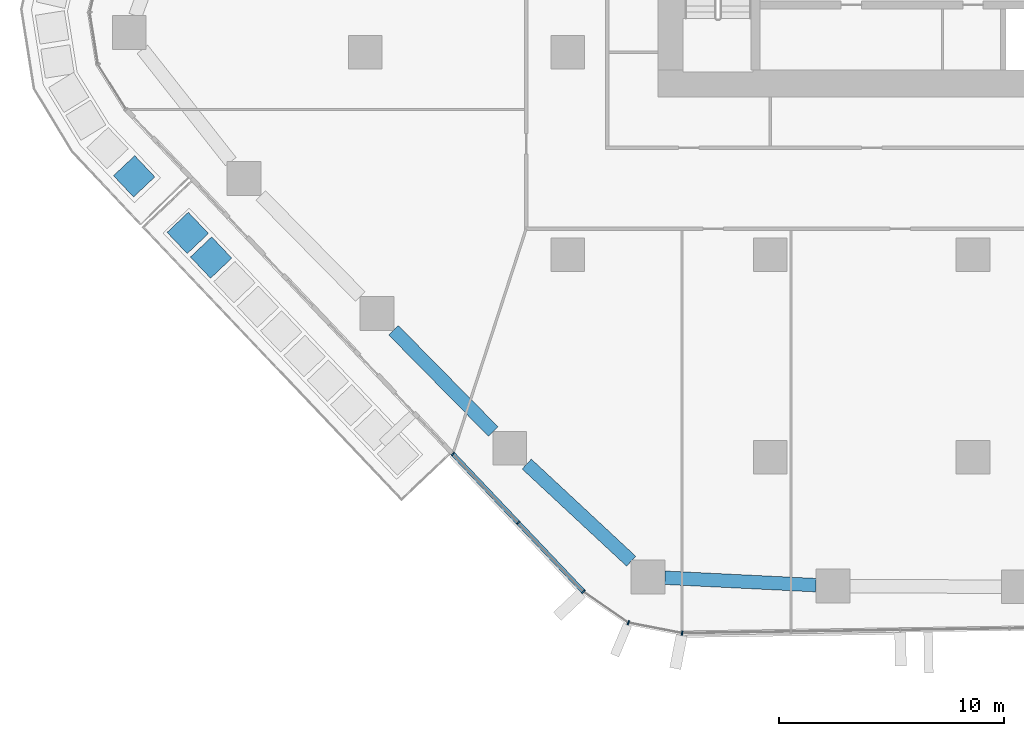
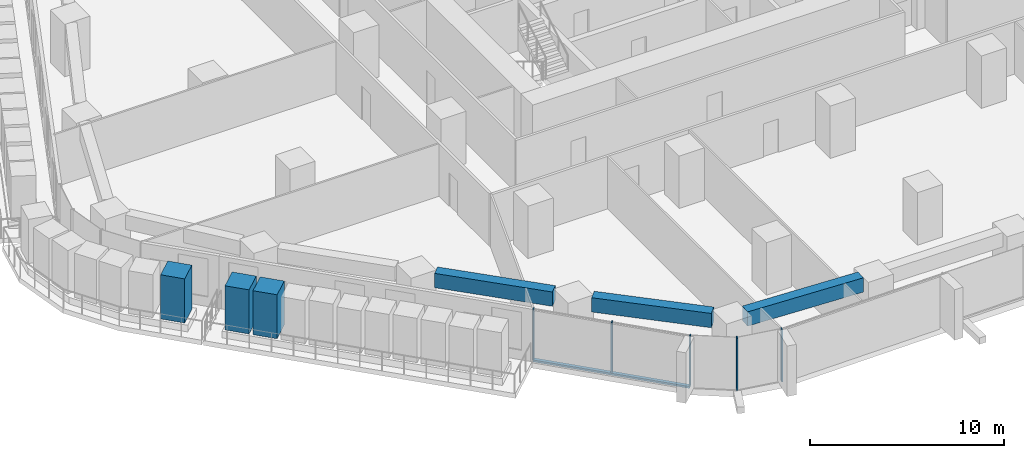
# One storey, part 2 of 24: 9 members, 3 beams, 2 elements without a shape of their own.
"""IFC4 building model written with IfcOpenShell, lengths in metres."""

import ifcopenshell
import ifcopenshell.guid

model = None  # the IFC model being written
_history = None  # IfcOwnerHistory: only IFC2X3 demands one
_inside = {}  # id of a spatial element -> (the spatial element, [elements in it])
_under = {}  # id of a project, library or spatial element -> (it, [spatial elements below it])
_declared = {}  # id of a project -> (the project, [libraries it declares])
_typed = {}  # id of a type object -> (the type object, [elements of that type])
_made_of = {}  # id of a material, layer set ... -> (it, [elements and type objects made of it])


def new_model(schema):
    """Start an empty IFC model of exactly this schema.

    Asked for "IFC4X3", IfcOpenShell would pick the latest addendum, in which some entities
    have other attributes; the version numbers below select the first issue.
    IFC2X3 requires an IfcOwnerHistory on every rooted entity: one is made here for all.
    """
    global model, _history
    if schema == "IFC4X3":
        model = ifcopenshell.file(schema_version=(4, 3, 0, 0))
    else:
        model = ifcopenshell.file(schema=schema)
    _inside.clear()
    _under.clear()
    _declared.clear()
    _typed.clear()
    _made_of.clear()
    _history = None
    if model.schema == "IFC2X3":
        org = make("IfcOrganization", Name="unknown")
        user = make(
            "IfcPersonAndOrganization",
            ThePerson=make("IfcPerson", FamilyName="unknown"),
            TheOrganization=org,
        )
        app = make(
            "IfcApplication",
            ApplicationDeveloper=org,
            Version="unknown",
            ApplicationFullName="unknown",
            ApplicationIdentifier="unknown",
        )
        _history = make(
            "IfcOwnerHistory",
            OwningUser=user,
            OwningApplication=app,
            ChangeAction="ADDED",
            CreationDate=0,
        )
    return model


def make(cls, **values):
    """One entity of the class cls with the attributes given. An attribute that is None is left unset."""
    return model.create_entity(
        cls, **{name: value for name, value in values.items() if value is not None}
    )


def rooted(cls, **values):
    """An entity with a GlobalId (a new one), such as an element, a storey or a relation."""
    return make(cls, GlobalId=ifcopenshell.guid.new(), OwnerHistory=_history, **values)


def si_unit(unit_type, name, prefix=None):
    """IfcSIUnit, for example si_unit("LENGTHUNIT", "METRE", prefix="MILLI")."""
    return make("IfcSIUnit", UnitType=unit_type, Prefix=prefix, Name=name)


def assignment(units):
    """IfcUnitAssignment: the units of a project."""
    return None if units is None else make("IfcUnitAssignment", Units=units)


def point(xyz):
    """IfcCartesianPoint."""
    return None if xyz is None else make("IfcCartesianPoint", Coordinates=xyz)


def direction(xyz):
    """IfcDirection."""
    return None if xyz is None else make("IfcDirection", DirectionRatios=xyz)


def frame(location, z_axis=None, x_axis=None):
    """IfcAxis2Placement3D, a coordinate frame: its origin and axes. An axis left out is left unset."""
    return make(
        "IfcAxis2Placement3D",
        Location=point(location),
        Axis=direction(z_axis),
        RefDirection=direction(x_axis),
    )


def frame_2d(location, x_axis=None):
    """IfcAxis2Placement2D, a coordinate frame in the plane: its origin and x axis."""
    return make(
        "IfcAxis2Placement2D", Location=point(location), RefDirection=direction(x_axis)
    )


def origin():
    """The frame at (0, 0, 0) with its axes left unset."""
    return frame((0.0, 0.0, 0.0))


def origin_2d():
    """The frame at (0, 0) in the plane with its x axis left unset."""
    return frame_2d((0.0, 0.0))


def place(relative_to, where):
    """IfcLocalPlacement: puts the frame where relative to a parent placement (None: the world)."""
    return make(
        "IfcLocalPlacement", PlacementRelTo=relative_to, RelativePlacement=where
    )


def context(
    kind, dimensions, precision=None, world=None, true_north=None, identifier=None
):
    """IfcGeometricRepresentationContext, for example the 3D "Model" context."""
    return make(
        "IfcGeometricRepresentationContext",
        ContextIdentifier=identifier,
        ContextType=kind,
        CoordinateSpaceDimension=dimensions,
        Precision=precision,
        WorldCoordinateSystem=world,
        TrueNorth=true_north,
    )


def subcontext(parent, identifier, kind, view, scale=None):
    """IfcGeometricRepresentationSubContext, for example "Body" below "Model"."""
    return make(
        "IfcGeometricRepresentationSubContext",
        ContextIdentifier=identifier,
        ContextType=kind,
        ParentContext=parent,
        TargetScale=scale,
        TargetView=view,
    )


def project(units=None, contexts=None):
    """IfcProject with its units and contexts."""
    return rooted(
        "IfcProject",
        Name="project",
        RepresentationContexts=contexts,
        UnitsInContext=assignment(units),
    )


def spatial(cls, under=None, at=None, **own):
    """A site, building, storey or space (cls), placed at a placement, below another one or the project."""
    s = rooted(cls, ObjectPlacement=at, **own)
    if under is not None:
        _under.setdefault(under.id(), (under, []))[1].append(s)
    return s


def profile(cls, at=None, kind="AREA", **sizes):
    """A parametric profile (cls). Its sizes go by their IFC names, for example OverallWidth=200.0."""
    return make(cls, ProfileType=kind, Position=at, **sizes)


def rectangle(**sizes):
    """IfcRectangleProfileDef."""
    return profile("IfcRectangleProfileDef", **sizes)


def extrude(swept, where, along, depth):
    """IfcExtrudedAreaSolid: the profile swept, set in the frame where, extruded along a direction by depth."""
    return make(
        "IfcExtrudedAreaSolid",
        SweptArea=swept,
        Position=where,
        ExtrudedDirection=direction(along),
        Depth=depth,
    )


def shape(context_of_items, identifier, shape_type, items):
    """IfcShapeRepresentation: the items that make up one representation, for example the "Body"."""
    return make(
        "IfcShapeRepresentation",
        ContextOfItems=context_of_items,
        RepresentationIdentifier=identifier,
        RepresentationType=shape_type,
        Items=items,
    )


def material(Name=None, Category=None):
    """IfcMaterial."""
    return make("IfcMaterial", Name=Name, Category=Category)


def layer(
    of_material, thickness, ventilated=None, Name=None, Category=None, Priority=None
):
    """IfcMaterialLayer: one layer of a wall or slab, of a material (None: an air gap)."""
    return make(
        "IfcMaterialLayer",
        Material=of_material,
        LayerThickness=thickness,
        IsVentilated=ventilated,
        Name=Name,
        Category=Category,
        Priority=Priority,
    )


def layer_set(layers, Name=None):
    """IfcMaterialLayerSet."""
    return make("IfcMaterialLayerSet", MaterialLayers=layers, LayerSetName=Name)


def material_profile(
    of_material, cross_section, Name=None, Category=None, Priority=None
):
    """IfcMaterialProfile: a cross section and its material."""
    return make(
        "IfcMaterialProfile",
        Name=Name,
        Material=of_material,
        Profile=cross_section,
        Priority=Priority,
        Category=Category,
    )


def profile_set(profiles, Name=None, composite=None):
    """IfcMaterialProfileSet."""
    return make(
        "IfcMaterialProfileSet",
        Name=Name,
        MaterialProfiles=profiles,
        CompositeProfile=composite,
    )


def made_of(thing, what):
    """Note that an element or type object is made of a material, layer set ...; save() writes the relation."""
    if what is not None:
        _made_of.setdefault(what.id(), (what, []))[1].append(thing)
    return thing


def type_object(cls, material=None, **own):
    """A type object (cls), such as IfcWallType, which elements share."""
    return made_of(rooted(cls, **own), material)


def element(
    cls,
    number,
    at=None,
    inside=None,
    cuts=None,
    type_object=None,
    material=None,
    context=None,
    identifier="Body",
    shape_type=None,
    held_by="IfcProductDefinitionShape",
    body=None,
    shapes=None,
    **own,
):
    """One element of the class cls, such as IfcWall. Its Tag is "e" and its number.

    at: its placement. inside: the storey or other place that contains it. cuts: it is an
    opening in that element (IfcRelVoidsElement). A single representation is given by context,
    identifier, shape_type and body (its items); several are given by shapes. held_by: the class
    of the entity that holds the representations. save() writes the other relations.
    """
    e = rooted(cls, Tag="e%d" % number, ObjectPlacement=at, **own)
    if body is not None:
        shapes = [shape(context, identifier, shape_type, body)]
    if shapes is not None:
        e.Representation = make(held_by, Representations=shapes)
    if inside is not None:
        _inside.setdefault(inside.id(), (inside, []))[1].append(e)
    if cuts is not None:
        rooted(
            "IfcRelVoidsElement", RelatingBuildingElement=cuts, RelatedOpeningElement=e
        )
    if type_object is not None:
        _typed.setdefault(type_object.id(), (type_object, []))[1].append(e)
    return made_of(e, material)


def aggregate(whole, parts):
    """IfcRelAggregates: a whole, such as a stair, and the parts it consists of."""
    return rooted("IfcRelAggregates", RelatingObject=whole, RelatedObjects=parts)


def save(model, path):
    """Write the relations noted so far, then the file.

    IfcRelAggregates (storeys below a building ...), IfcRelContainedInSpatialStructure (elements
    in a storey), IfcRelDefinesByType, IfcRelAssociatesMaterial and IfcRelDeclares: one each for
    every whole, place, type object, material and project.
    """
    for whole, parts in _under.values():
        aggregate(whole, parts)
    for where, things in _inside.values():
        rooted(
            "IfcRelContainedInSpatialStructure",
            RelatedElements=things,
            RelatingStructure=where,
        )
    for kind, things in _typed.values():
        rooted("IfcRelDefinesByType", RelatedObjects=things, RelatingType=kind)
    for what, things in _made_of.values():
        rooted("IfcRelAssociatesMaterial", RelatedObjects=things, RelatingMaterial=what)
    for by, libraries in _declared.values():
        rooted("IfcRelDeclares", RelatingContext=by, RelatedDefinitions=libraries)
    model.write(path)


model = new_model("IFC4")

# Units and contexts
model_context = context("Model", 3, precision=1e-05, world=origin(), true_north=direction((0.0, 1.0)))
body_context = subcontext(model_context, "Body", "Model", "MODEL_VIEW")
ifc_project = project(units=[si_unit("LENGTHUNIT", "METRE"), si_unit("AREAUNIT", "SQUARE_METRE"), si_unit("VOLUMEUNIT", "CUBIC_METRE"), si_unit("PLANEANGLEUNIT", "RADIAN"), si_unit("MASSUNIT", "GRAM", prefix="KILO")], contexts=[model_context])

# Site, building, storey
site_placement = place(None, origin())
site = spatial("IfcSite", under=ifc_project, at=site_placement, CompositionType="ELEMENT")
building_placement = place(site_placement, origin())
building = spatial("IfcBuilding", under=site, at=building_placement, Name="Dongbaek Canopy Tower", CompositionType="ELEMENT")
storey_placement = place(building_placement, frame((0.0, 0.0, 47.699951171875)))
storey = spatial("IfcBuildingStorey", under=building, at=storey_placement, Name="L07", CompositionType="ELEMENT", Elevation=47.699951171875)

# Curtain wall, members
ifc_material_1 = material(Name="Aluminium 6063-T6 pale anodised", Category="aluminium")
ifc_layer = layer(ifc_material_1, 0.199951171875)
ifc_layer_set = layer_set([ifc_layer], Name="CW-1 unitised tower curtain wall")
curtain_wall_type = type_object("IfcCurtainWallType", Name="CW-1 unitised tower curtain wall", PredefinedType="NOTDEFINED", material=ifc_layer_set)
curtain_wall_1_placement = place(storey_placement, origin())
curtain_wall_1 = element("IfcCurtainWall", 1, at=curtain_wall_1_placement, inside=storey, type_object=curtain_wall_type, Name="CW-1 curtain wall F3.1", PredefinedType="NOTDEFINED")
ifc_material_2 = material(Name="Aluminium 6063-T6 pale anodised", Category="aluminium")
ifc_material_profile_1 = material_profile(ifc_material_2, rectangle(XDim=0.199951171875, YDim=0.06005859375, at=origin_2d()), Name="CW-1 mullion 60 x 200")
ifc_profile_set_1 = profile_set([ifc_material_profile_1], Name="Aluminium 6063-T6 pale anodised")
member_type_1 = type_object("IfcMemberType", Name="CW-1 mullion 60 x 200", PredefinedType="MULLION", material=ifc_profile_set_1)
member_1_placement = place(storey_placement, frame((-23.107421875, -26.84814453125, 0.1201171875), z_axis=(0.0, 0.0, 1.0), x_axis=(-0.725626548924, -0.688088738098, 0.0)))
member_1 = element("IfcMember", 2, at=member_1_placement, type_object=member_type_1, Name="CW-1 mullion F3.1.1", PredefinedType="MULLION", context=body_context, shape_type="SweptSolid", body=[
    extrude(rectangle(XDim=0.199951171875, YDim=0.06005859375, at=origin_2d()), origin(), (0.0, 0.0, 1.0), 3.179931640625),
])
member_2_placement = place(storey_placement, frame((-20.203369140625, -29.91064453125, 0.1201171875), z_axis=(0.0, 0.0, 1.0), x_axis=(-0.725626548924, -0.688088738098, 0.0)))
member_2 = element("IfcMember", 3, at=member_2_placement, type_object=member_type_1, Name="CW-1 mullion F3.1.2", PredefinedType="MULLION", context=body_context, shape_type="SweptSolid", body=[
    extrude(rectangle(XDim=0.199951171875, YDim=0.06005859375, at=origin_2d()), origin(), (0.0, 0.0, 1.0), 3.179931640625),
])
member_3_placement = place(storey_placement, frame((-17.306396484375, -32.9658203125, 0.1201171875), z_axis=(0.0, 0.0, 1.0), x_axis=(-0.725626548924, -0.688088738098, 0.0)))
member_3 = element("IfcMember", 4, at=member_3_placement, type_object=member_type_1, Name="CW-1 mullion F3.1.3", PredefinedType="MULLION", context=body_context, shape_type="SweptSolid", body=[
    extrude(rectangle(XDim=0.199951171875, YDim=0.06005859375, at=origin_2d()), origin(), (0.0, 0.0, 1.0), 3.179931640625),
])

curtain_wall_2_placement = place(storey_placement, origin())
curtain_wall_2 = element("IfcCurtainWall", 5, at=curtain_wall_2_placement, inside=storey, type_object=curtain_wall_type, Name="CW-1 curtain wall K4.1", PredefinedType="NOTDEFINED")
member_4_placement = place(storey_placement, frame((-15.3076171875, -34.348876953125, 0.0), z_axis=(0.0, 0.0, 1.0), x_axis=(-0.388186162489, -0.921580980301, 0.0)))
member_4 = element("IfcMember", 6, at=member_4_placement, type_object=member_type_1, Name="CW-1 mullion K4.1.2", PredefinedType="MULLION", context=body_context, shape_type="SweptSolid", body=[
    extrude(rectangle(XDim=0.199951171875, YDim=0.06005859375, at=origin_2d()), origin(), (0.0, 0.0, 1.0), 3.300048828125),
])
member_5_placement = place(storey_placement, frame((-12.92138671875, -34.812744140625, 0.0), z_axis=(0.0, 0.0, 1.0), x_axis=(-0.190843757955, -0.981620425648, 0.0)))
member_5 = element("IfcMember", 7, at=member_5_placement, type_object=member_type_1, Name="CW-1 mullion K4.1.3", PredefinedType="MULLION", context=body_context, shape_type="SweptSolid", body=[
    extrude(rectangle(XDim=0.199951171875, YDim=0.06005859375, at=origin_2d()), origin(), (0.0, 0.0, 1.0), 3.300048828125),
])
aggregate(curtain_wall_2, [member_4, member_5])

# Member
ifc_material_3 = material(Name="Aluminium 6063-T6 pale anodised", Category="aluminium")
ifc_material_profile_2 = material_profile(ifc_material_3, rectangle(XDim=0.199951171875, YDim=0.1201171875, at=origin_2d()), Name="CW-1 transom 120 x 200")
ifc_profile_set_2 = profile_set([ifc_material_profile_2], Name="Aluminium 6063-T6 pale anodised")
member_type_2 = type_object("IfcMemberType", Name="CW-1 transom 120 x 200", PredefinedType="USERDEFINED", material=ifc_profile_set_2)
member_6_placement = place(storey_placement, frame((-23.107421875, -26.84814453125, 0.06005859375), z_axis=(0.688077912798, -0.72563681406, 0.0), x_axis=(0.72563681406, 0.688077912798, 0.0)))
member_6 = element("IfcMember", 8, at=member_6_placement, type_object=member_type_2, Name="CW-1 transom F3.1.1", ObjectType="TRANSOM", PredefinedType="USERDEFINED", context=body_context, shape_type="SweptSolid", body=[
    extrude(rectangle(XDim=0.199951171875, YDim=0.1201171875, at=origin_2d()), origin(), (0.0, 0.0, 1.0), 8.4306640625),
])

aggregate(curtain_wall_1, [member_1, member_2, member_3, member_6])

# Beams
ifc_material_4 = material(Name="Concrete C80", Category="concrete")
ifc_material_profile_3 = material_profile(ifc_material_4, rectangle(XDim=0.60009765625, YDim=0.89990234375, at=origin_2d()), Name="RC EDGE BEAM 600x900 C80")
ifc_profile_set_3 = profile_set([ifc_material_profile_3], Name="Concrete C80")
beam_type = type_object("IfcBeamType", Name="RC EDGE BEAM 600x900 C80", PredefinedType="BEAM", material=ifc_profile_set_3)
beam_1_placement = place(storey_placement, frame((-6.971923828125, -32.68017578125, 2.85009765625), z_axis=(-0.998791258722, 0.049153041612, 0.0), x_axis=(-0.049153041612, -0.998791258722, 0.0)))
element("IfcBeam", 9, at=beam_1_placement, inside=storey, type_object=beam_type, Name="EDGEBEAM:L07:03", PredefinedType="BEAM", context=body_context, shape_type="SweptSolid", body=[
    extrude(rectangle(XDim=0.60009765625, YDim=0.89990234375, at=origin_2d()), origin(), (0.0, 0.0, 1.0), 6.72021484375),
])
beam_2_placement = place(storey_placement, frame((-15.18408203125, -31.615478515625, 2.85009765625), z_axis=(-0.732207291567, 0.681081846899, 0.0), x_axis=(-0.681081846899, -0.732207291567, 0.0)))
element("IfcBeam", 10, at=beam_2_placement, inside=storey, type_object=beam_type, Name="EDGEBEAM:L07:04", PredefinedType="BEAM", context=body_context, shape_type="SweptSolid", body=[
    extrude(rectangle(XDim=0.60009765625, YDim=0.89990234375, at=origin_2d()), origin(), (0.0, 0.0, 1.0), 6.3369140625),
])
beam_3_placement = place(storey_placement, frame((-21.312744140625, -25.85205078125, 2.85009765625), z_axis=(-0.701726082417, 0.712446843811, 0.0), x_axis=(-0.712446843811, -0.701726082417, 0.0)))
element("IfcBeam", 11, at=beam_3_placement, inside=storey, type_object=beam_type, Name="EDGEBEAM:L07:05", PredefinedType="BEAM", context=body_context, shape_type="SweptSolid", body=[
    extrude(rectangle(XDim=0.60009765625, YDim=0.89990234375, at=origin_2d()), origin(), (0.0, 0.0, 1.0), 6.30810546875),
])

# Members
ifc_material_5 = material(Name="Concrete C40/50 planter mass with planting", Category="concrete")
ifc_material_profile_4 = material_profile(ifc_material_5, rectangle(XDim=1.300048828125, YDim=1.300048828125, at=origin_2d()), Name="Terrace PLANTER shrub mass 1300 x 1300")
ifc_profile_set_4 = profile_set([ifc_material_profile_4], Name="Concrete C40/50 planter mass with planting")
member_type_3 = type_object("IfcMemberType", Name="Terrace PLANTER shrub mass 1300 x 1300", PredefinedType="USERDEFINED", material=ifc_profile_set_4)
member_7_placement = place(storey_placement, frame((-34.884521484375, -17.030029296875, 0.420166015625), z_axis=(0.0, 0.0, 1.0), x_axis=(-0.725626548924, -0.688088738098, 0.0)))
element("IfcMember", 12, at=member_7_placement, inside=storey, type_object=member_type_3, Name="Planter shrubs L07 3.1", ObjectType="PLANTER", PredefinedType="USERDEFINED", context=body_context, shape_type="SweptSolid", body=[
    extrude(rectangle(XDim=1.300048828125, YDim=1.300048828125, at=origin_2d()), origin(), (0.0, 0.0, 1.0), 2.77978515625),
])
member_8_placement = place(storey_placement, frame((-33.8466796875, -18.12451171875, 0.420166015625), z_axis=(0.0, 0.0, 1.0), x_axis=(-0.725626548924, -0.688088738098, 0.0)))
element("IfcMember", 13, at=member_8_placement, inside=storey, type_object=member_type_3, Name="Planter shrubs L07 3.2", ObjectType="PLANTER", PredefinedType="USERDEFINED", context=body_context, shape_type="SweptSolid", body=[
    extrude(rectangle(XDim=1.300048828125, YDim=1.300048828125, at=origin_2d()), origin(), (0.0, 0.0, 1.0), 2.769775390625),
])
member_9_placement = place(storey_placement, frame((-37.2666015625, -14.514892578125, 0.420166015625), z_axis=(0.0, 0.0, 1.0), x_axis=(-0.727322068282, -0.686296298248, 0.0)))
element("IfcMember", 14, at=member_9_placement, inside=storey, type_object=member_type_3, Name="Planter shrubs L07 6.7", ObjectType="PLANTER", PredefinedType="USERDEFINED", context=body_context, shape_type="SweptSolid", body=[
    extrude(rectangle(XDim=1.300048828125, YDim=1.300048828125, at=origin_2d()), origin(), (0.0, 0.0, 1.0), 2.77978515625),
])

save(model, "model.ifc")
